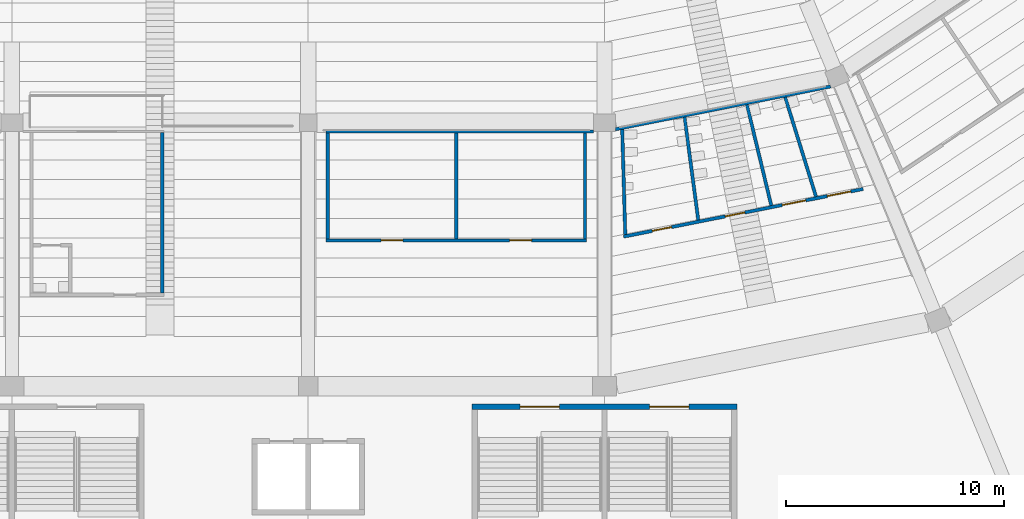
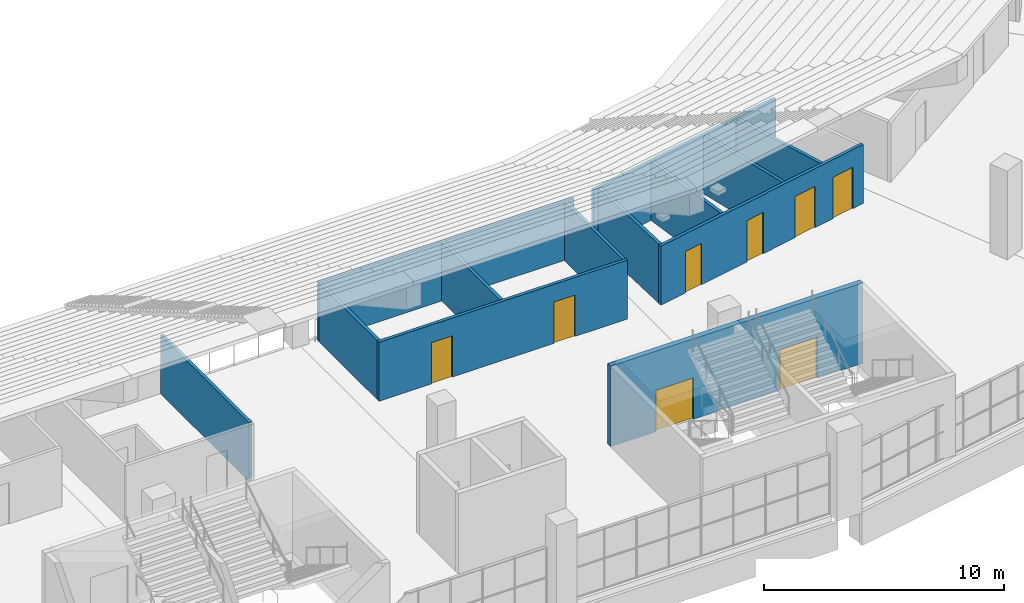
# One storey, part 88 of 249: 13 walls, 8 doors, 8 openings.
"""IFC4 building model written with IfcOpenShell, lengths in metres."""

import ifcopenshell
import ifcopenshell.guid

model = None  # the IFC model being written
_history = None  # IfcOwnerHistory: only IFC2X3 demands one
_inside = {}  # id of a spatial element -> (the spatial element, [elements in it])
_under = {}  # id of a project, library or spatial element -> (it, [spatial elements below it])
_declared = {}  # id of a project -> (the project, [libraries it declares])
_typed = {}  # id of a type object -> (the type object, [elements of that type])
_made_of = {}  # id of a material, layer set ... -> (it, [elements and type objects made of it])


def new_model(schema):
    """Start an empty IFC model of exactly this schema.

    Asked for "IFC4X3", IfcOpenShell would pick the latest addendum, in which some entities
    have other attributes; the version numbers below select the first issue.
    IFC2X3 requires an IfcOwnerHistory on every rooted entity: one is made here for all.
    """
    global model, _history
    if schema == "IFC4X3":
        model = ifcopenshell.file(schema_version=(4, 3, 0, 0))
    else:
        model = ifcopenshell.file(schema=schema)
    _inside.clear()
    _under.clear()
    _declared.clear()
    _typed.clear()
    _made_of.clear()
    _history = None
    if model.schema == "IFC2X3":
        org = make("IfcOrganization", Name="unknown")
        user = make(
            "IfcPersonAndOrganization",
            ThePerson=make("IfcPerson", FamilyName="unknown"),
            TheOrganization=org,
        )
        app = make(
            "IfcApplication",
            ApplicationDeveloper=org,
            Version="unknown",
            ApplicationFullName="unknown",
            ApplicationIdentifier="unknown",
        )
        _history = make(
            "IfcOwnerHistory",
            OwningUser=user,
            OwningApplication=app,
            ChangeAction="ADDED",
            CreationDate=0,
        )
    return model


def make(cls, **values):
    """One entity of the class cls with the attributes given. An attribute that is None is left unset."""
    return model.create_entity(
        cls, **{name: value for name, value in values.items() if value is not None}
    )


def rooted(cls, **values):
    """An entity with a GlobalId (a new one), such as an element, a storey or a relation."""
    return make(cls, GlobalId=ifcopenshell.guid.new(), OwnerHistory=_history, **values)


def si_unit(unit_type, name, prefix=None):
    """IfcSIUnit, for example si_unit("LENGTHUNIT", "METRE", prefix="MILLI")."""
    return make("IfcSIUnit", UnitType=unit_type, Prefix=prefix, Name=name)


def assignment(units):
    """IfcUnitAssignment: the units of a project."""
    return None if units is None else make("IfcUnitAssignment", Units=units)


def point(xyz):
    """IfcCartesianPoint."""
    return None if xyz is None else make("IfcCartesianPoint", Coordinates=xyz)


def direction(xyz):
    """IfcDirection."""
    return None if xyz is None else make("IfcDirection", DirectionRatios=xyz)


def frame(location, z_axis=None, x_axis=None):
    """IfcAxis2Placement3D, a coordinate frame: its origin and axes. An axis left out is left unset."""
    return make(
        "IfcAxis2Placement3D",
        Location=point(location),
        Axis=direction(z_axis),
        RefDirection=direction(x_axis),
    )


def frame_2d(location, x_axis=None):
    """IfcAxis2Placement2D, a coordinate frame in the plane: its origin and x axis."""
    return make(
        "IfcAxis2Placement2D", Location=point(location), RefDirection=direction(x_axis)
    )


def origin():
    """The frame at (0, 0, 0) with its axes left unset."""
    return frame((0.0, 0.0, 0.0))


def place(relative_to, where):
    """IfcLocalPlacement: puts the frame where relative to a parent placement (None: the world)."""
    return make(
        "IfcLocalPlacement", PlacementRelTo=relative_to, RelativePlacement=where
    )


def context(
    kind, dimensions, precision=None, world=None, true_north=None, identifier=None
):
    """IfcGeometricRepresentationContext, for example the 3D "Model" context."""
    return make(
        "IfcGeometricRepresentationContext",
        ContextIdentifier=identifier,
        ContextType=kind,
        CoordinateSpaceDimension=dimensions,
        Precision=precision,
        WorldCoordinateSystem=world,
        TrueNorth=true_north,
    )


def subcontext(parent, identifier, kind, view, scale=None):
    """IfcGeometricRepresentationSubContext, for example "Body" below "Model"."""
    return make(
        "IfcGeometricRepresentationSubContext",
        ContextIdentifier=identifier,
        ContextType=kind,
        ParentContext=parent,
        TargetScale=scale,
        TargetView=view,
    )


def project(units=None, contexts=None):
    """IfcProject with its units and contexts."""
    return rooted(
        "IfcProject",
        Name="project",
        RepresentationContexts=contexts,
        UnitsInContext=assignment(units),
    )


def spatial(cls, under=None, at=None, **own):
    """A site, building, storey or space (cls), placed at a placement, below another one or the project."""
    s = rooted(cls, ObjectPlacement=at, **own)
    if under is not None:
        _under.setdefault(under.id(), (under, []))[1].append(s)
    return s


def profile(cls, at=None, kind="AREA", **sizes):
    """A parametric profile (cls). Its sizes go by their IFC names, for example OverallWidth=200.0."""
    return make(cls, ProfileType=kind, Position=at, **sizes)


def rectangle(**sizes):
    """IfcRectangleProfileDef."""
    return profile("IfcRectangleProfileDef", **sizes)


def extrude(swept, where, along, depth):
    """IfcExtrudedAreaSolid: the profile swept, set in the frame where, extruded along a direction by depth."""
    return make(
        "IfcExtrudedAreaSolid",
        SweptArea=swept,
        Position=where,
        ExtrudedDirection=direction(along),
        Depth=depth,
    )


def shape(context_of_items, identifier, shape_type, items):
    """IfcShapeRepresentation: the items that make up one representation, for example the "Body"."""
    return make(
        "IfcShapeRepresentation",
        ContextOfItems=context_of_items,
        RepresentationIdentifier=identifier,
        RepresentationType=shape_type,
        Items=items,
    )


def material(Name=None, Category=None):
    """IfcMaterial."""
    return make("IfcMaterial", Name=Name, Category=Category)


def layer(
    of_material, thickness, ventilated=None, Name=None, Category=None, Priority=None
):
    """IfcMaterialLayer: one layer of a wall or slab, of a material (None: an air gap)."""
    return make(
        "IfcMaterialLayer",
        Material=of_material,
        LayerThickness=thickness,
        IsVentilated=ventilated,
        Name=Name,
        Category=Category,
        Priority=Priority,
    )


def layer_set(layers, Name=None):
    """IfcMaterialLayerSet."""
    return make("IfcMaterialLayerSet", MaterialLayers=layers, LayerSetName=Name)


def made_of(thing, what):
    """Note that an element or type object is made of a material, layer set ...; save() writes the relation."""
    if what is not None:
        _made_of.setdefault(what.id(), (what, []))[1].append(thing)
    return thing


def type_object(cls, material=None, **own):
    """A type object (cls), such as IfcWallType, which elements share."""
    return made_of(rooted(cls, **own), material)


def element(
    cls,
    number,
    at=None,
    inside=None,
    cuts=None,
    type_object=None,
    material=None,
    context=None,
    identifier="Body",
    shape_type=None,
    held_by="IfcProductDefinitionShape",
    body=None,
    shapes=None,
    **own,
):
    """One element of the class cls, such as IfcWall. Its Tag is "e" and its number.

    at: its placement. inside: the storey or other place that contains it. cuts: it is an
    opening in that element (IfcRelVoidsElement). A single representation is given by context,
    identifier, shape_type and body (its items); several are given by shapes. held_by: the class
    of the entity that holds the representations. save() writes the other relations.
    """
    e = rooted(cls, Tag="e%d" % number, ObjectPlacement=at, **own)
    if body is not None:
        shapes = [shape(context, identifier, shape_type, body)]
    if shapes is not None:
        e.Representation = make(held_by, Representations=shapes)
    if inside is not None:
        _inside.setdefault(inside.id(), (inside, []))[1].append(e)
    if cuts is not None:
        rooted(
            "IfcRelVoidsElement", RelatingBuildingElement=cuts, RelatedOpeningElement=e
        )
    if type_object is not None:
        _typed.setdefault(type_object.id(), (type_object, []))[1].append(e)
    return made_of(e, material)


def fill(opening, filler):
    """IfcRelFillsElement: the door or window that sits in an opening."""
    return rooted(
        "IfcRelFillsElement",
        RelatingOpeningElement=opening,
        RelatedBuildingElement=filler,
    )


def aggregate(whole, parts):
    """IfcRelAggregates: a whole, such as a stair, and the parts it consists of."""
    return rooted("IfcRelAggregates", RelatingObject=whole, RelatedObjects=parts)


def save(model, path):
    """Write the relations noted so far, then the file.

    IfcRelAggregates (storeys below a building ...), IfcRelContainedInSpatialStructure (elements
    in a storey), IfcRelDefinesByType, IfcRelAssociatesMaterial and IfcRelDeclares: one each for
    every whole, place, type object, material and project.
    """
    for whole, parts in _under.values():
        aggregate(whole, parts)
    for where, things in _inside.values():
        rooted(
            "IfcRelContainedInSpatialStructure",
            RelatedElements=things,
            RelatingStructure=where,
        )
    for kind, things in _typed.values():
        rooted("IfcRelDefinesByType", RelatedObjects=things, RelatingType=kind)
    for what, things in _made_of.values():
        rooted("IfcRelAssociatesMaterial", RelatedObjects=things, RelatingMaterial=what)
    for by, libraries in _declared.values():
        rooted("IfcRelDeclares", RelatingContext=by, RelatedDefinitions=libraries)
    model.write(path)


model = new_model("IFC4")

# Units and contexts
model_context = context("Model", 3, precision=1e-05, world=origin(), true_north=direction((0.0, 1.0)))
body_context = subcontext(model_context, "Body", "Model", "MODEL_VIEW")
ifc_project = project(units=[si_unit("LENGTHUNIT", "METRE"), si_unit("AREAUNIT", "SQUARE_METRE"), si_unit("VOLUMEUNIT", "CUBIC_METRE"), si_unit("PLANEANGLEUNIT", "RADIAN"), si_unit("MASSUNIT", "GRAM", prefix="KILO")], contexts=[model_context])

# Site, building, storey
site_placement = place(None, origin())
site = spatial("IfcSite", under=ifc_project, at=site_placement, CompositionType="ELEMENT")
building_placement = place(site_placement, origin())
building = spatial("IfcBuilding", under=site, at=building_placement, Name="Ogive Plaza Stadium", CompositionType="ELEMENT")
storey_placement = place(building_placement, frame((0.0, 0.0, 13.5)))
storey = spatial("IfcBuildingStorey", under=building, at=storey_placement, Name="L03", CompositionType="ELEMENT", Elevation=13.5)

# Wall
ifc_material_1 = material(Name="Masonry blockwork", Category="masonry")
ifc_layer_1 = layer(ifc_material_1, 0.14990234375)
ifc_layer_set_1 = layer_set([ifc_layer_1], Name="Blockwork wall 150")
wall_type_1 = type_object("IfcWallType", Name="Blockwork wall 150", PredefinedType="SOLIDWALL", material=ifc_layer_set_1)
wall_1_placement = place(storey_placement, frame((33.5, -80.800048828125, 0.0), z_axis=(0.0, 0.0, 1.0), x_axis=(-1.0, 0.0, 0.0)))
element("IfcWall", 1, at=wall_1_placement, inside=storey, type_object=wall_type_1, Name="Wall L03 B12", PredefinedType="SOLIDWALL", context=body_context, shape_type="SweptSolid", body=[
    extrude(rectangle(XDim=12.27490234375, YDim=0.14990234375, at=frame_2d((6.137451171875, 0.0))), origin(), (0.0, 0.0, 1.0), 3.0),
])

# Wall, openings, doors
wall_2_placement = place(storey_placement, frame((33.175048828125, -85.800048828125, 0.0), z_axis=(0.0, 0.0, 1.0), x_axis=(-1.0, 0.0, 0.0)))
wall_2 = element("IfcWall", 2, at=wall_2_placement, inside=storey, type_object=wall_type_1, Name="Wall L03 B12", PredefinedType="SOLIDWALL", context=body_context, shape_type="SweptSolid", body=[
    extrude(rectangle(XDim=11.949951171875, YDim=0.14990234375, at=frame_2d((5.97509765625, 0.0))), origin(), (0.0, 0.0, 1.0), 3.0),
])
opening_1_placement = place(wall_2_placement, frame((2.52490234375, 0.0, 0.0)))
opening_1 = element("IfcOpeningElement", 3, at=opening_1_placement, cuts=wall_2, Name="Opening D0799", PredefinedType="OPENING", context=body_context, shape_type="SweptSolid", body=[
    extrude(rectangle(XDim=1.0, YDim=2.10009765625, at=frame_2d((0.5, 1.050048828125))), frame((0.0, 0.074951171875, 0.0), z_axis=(0.0, -1.0, 0.0), x_axis=(1.0, 0.0, 0.0)), (0.0, 0.0, 1.0), 0.14990234375),
])
opening_2_placement = place(wall_2_placement, frame((8.425048828125, 0.0, 0.0)))
opening_2 = element("IfcOpeningElement", 4, at=opening_2_placement, cuts=wall_2, Name="Opening D0800", PredefinedType="OPENING", context=body_context, shape_type="SweptSolid", body=[
    extrude(rectangle(XDim=1.0, YDim=2.10009765625, at=frame_2d((0.5, 1.050048828125))), frame((0.0, 0.074951171875, 0.0), z_axis=(0.0, -1.0, 0.0), x_axis=(1.0, 0.0, 0.0)), (0.0, 0.0, 1.0), 0.14990234375),
])
ifc_material_2 = material(Name="Steel ASTM A572 Grade 50", Category="steel")
door_type_1 = type_object("IfcDoorType", Name="Fire door FD60 1000 x 2100", OperationType="SINGLE_SWING_LEFT", PredefinedType="DOOR", material=ifc_material_2)
door_1_placement = place(opening_1_placement, origin())
door_1 = element("IfcDoor", 5, at=door_1_placement, inside=storey, type_object=door_type_1, Name="Hospitality Pantry B12 door", OperationType="SINGLE_SWING_RIGHT", OverallHeight=2.10009765625, OverallWidth=1.0, PredefinedType="DOOR", context=body_context, shape_type="SweptSolid", body=[
    extrude(rectangle(XDim=1.0, YDim=2.10009765625, at=frame_2d((0.5, 1.050048828125))), frame((0.0, 0.02490234375, 0.0), z_axis=(0.0, -1.0, 0.0), x_axis=(1.0, 0.0, 0.0)), (0.0, 0.0, 1.0), 0.050048828125),
])
fill(opening_1, door_1)
door_2_placement = place(opening_2_placement, origin())
door_2 = element("IfcDoor", 6, at=door_2_placement, inside=storey, type_object=door_type_1, Name="Hospitality Store B12 door", OperationType="SINGLE_SWING_LEFT", OverallHeight=2.10009765625, OverallWidth=1.0, PredefinedType="DOOR", context=body_context, shape_type="SweptSolid", body=[
    extrude(rectangle(XDim=1.0, YDim=2.10009765625, at=frame_2d((0.5, 1.050048828125))), frame((0.0, 0.02490234375, 0.0), z_axis=(0.0, -1.0, 0.0), x_axis=(1.0, 0.0, 0.0)), (0.0, 0.0, 1.0), 0.050048828125),
])
fill(opening_2, door_2)

# Walls
for number, where, z_axis, x_axis, name in (
    (7, (33.10009765625, -80.875, 0.0), (0.0, 0.0, 1.0), (0.0, -1.0, 0.0), "Wall L03 B12"),
    (8, (27.199951171875, -80.875, 0.0), (0.0, 0.0, 1.0), (0.0, -1.0, 0.0), "Wall L03 B12"),
    (9, (21.300048828125, -80.875, 0.0), (0.0, 0.0, 1.0), (0.0, -1.0, 0.0), "Wall L03 B12"),
):
    element("IfcWall", number, at=place(storey_placement, frame(where, z_axis=z_axis, x_axis=x_axis)), inside=storey, type_object=wall_type_1, Name=name, PredefinedType="SOLIDWALL", context=body_context, shape_type="SweptSolid", body=[
        extrude(rectangle(XDim=4.85009765625, YDim=0.14990234375, at=frame_2d((2.425048828125, 0.0))), origin(), (0.0, 0.0, 1.0), 3.0),
    ])
wall_3_placement = place(storey_placement, frame((13.699951171875, -80.85009765625, 0.0), z_axis=(0.0, 0.0, 1.0), x_axis=(0.0, -1.0, 0.0)))
element("IfcWall", 10, at=wall_3_placement, inside=storey, type_object=wall_type_1, Name="Wall L03 B13", PredefinedType="SOLIDWALL", context=body_context, shape_type="SweptSolid", body=[
    extrude(rectangle(XDim=7.375, YDim=0.14990234375, at=frame_2d((3.6875, 0.0))), origin(), (0.0, 0.0, 1.0), 3.0),
])

# Wall, openings, doors
ifc_material_3 = material(Name="Concrete C40/50", Category="concrete")
ifc_layer_2 = layer(ifc_material_3, 0.25)
ifc_layer_set_2 = layer_set([ifc_layer_2], Name="Concrete C40/50")
wall_type_2 = type_object("IfcWallType", Name="Core wall 250", PredefinedType="SHEAR", material=ifc_layer_set_2)
wall_4_placement = place(storey_placement, frame((27.925048828125, -93.425048828125, 0.0), z_axis=(0.0, 0.0, 1.0), x_axis=(1.0, 0.0, 0.0)))
wall_4 = element("IfcWall", 11, at=wall_4_placement, inside=storey, type_object=wall_type_2, Name="Stair core R12 inner wall", PredefinedType="SHEAR", context=body_context, shape_type="SweptSolid", body=[
    extrude(rectangle(XDim=12.14990234375, YDim=0.25, at=frame_2d((6.074951171875, 0.0))), origin(), (0.0, 0.0, 1.0), 4.090087890625),
])
opening_3_placement = place(wall_4_placement, frame((2.199951171875, 0.0, 0.0)))
opening_3 = element("IfcOpeningElement", 12, at=opening_3_placement, cuts=wall_4, Name="Opening D0113", PredefinedType="OPENING", context=body_context, shape_type="SweptSolid", body=[
    extrude(rectangle(XDim=1.800048828125, YDim=2.10009765625, at=frame_2d((0.89990234375, 1.050048828125))), frame((0.0, 0.125, 0.0), z_axis=(0.0, -1.0, 0.0), x_axis=(1.0, 0.0, 0.0)), (0.0, 0.0, 1.0), 0.25),
])
opening_4_placement = place(wall_4_placement, frame((8.14990234375, 0.0, 0.0)))
opening_4 = element("IfcOpeningElement", 13, at=opening_4_placement, cuts=wall_4, Name="Opening D0114", PredefinedType="OPENING", context=body_context, shape_type="SweptSolid", body=[
    extrude(rectangle(XDim=1.800048828125, YDim=2.10009765625, at=frame_2d((0.89990234375, 1.050048828125))), frame((0.0, 0.125, 0.0), z_axis=(0.0, -1.0, 0.0), x_axis=(1.0, 0.0, 0.0)), (0.0, 0.0, 1.0), 0.25),
])
ifc_material_4 = material(Name="Steel ASTM A572 Grade 50", Category="steel")
door_type_2 = type_object("IfcDoorType", Name="Fire door FD90 pair 1800 x 2100", OperationType="DOUBLE_DOOR_SINGLE_SWING", PredefinedType="DOOR", material=ifc_material_4)
door_3_placement = place(opening_3_placement, origin())
door_3 = element("IfcDoor", 14, at=door_3_placement, inside=storey, type_object=door_type_2, Name="Exit stair R12A door L03", OperationType="DOUBLE_DOOR_SINGLE_SWING", OverallHeight=2.10009765625, OverallWidth=1.800048828125, PredefinedType="DOOR", context=body_context, shape_type="SweptSolid", body=[
    extrude(rectangle(XDim=1.800048828125, YDim=2.10009765625, at=frame_2d((0.89990234375, 1.050048828125))), frame((0.0, 0.02490234375, 0.0), z_axis=(0.0, -1.0, 0.0), x_axis=(1.0, 0.0, 0.0)), (0.0, 0.0, 1.0), 0.050048828125),
])
fill(opening_3, door_3)
door_4_placement = place(opening_4_placement, origin())
door_4 = element("IfcDoor", 15, at=door_4_placement, inside=storey, type_object=door_type_2, Name="Exit stair R12B door L03", OperationType="DOUBLE_DOOR_SINGLE_SWING", OverallHeight=2.10009765625, OverallWidth=1.800048828125, PredefinedType="DOOR", context=body_context, shape_type="SweptSolid", body=[
    extrude(rectangle(XDim=1.800048828125, YDim=2.10009765625, at=frame_2d((0.89990234375, 1.050048828125))), frame((0.0, 0.02490234375, 0.0), z_axis=(0.0, -1.0, 0.0), x_axis=(1.0, 0.0, 0.0)), (0.0, 0.0, 1.0), 0.050048828125),
])
fill(opening_4, door_4)

# Wall
ifc_material_5 = material(Name="Gypsum board partition", Category="gypsum")
ifc_layer_3 = layer(ifc_material_5, 0.14990234375)
ifc_layer_set_3 = layer_set([ifc_layer_3], Name="Partition 150")
wall_type_3 = type_object("IfcWallType", Name="Partition 150", PredefinedType="PARTITIONING", material=ifc_layer_set_3)
wall_5_placement = place(storey_placement, frame((34.5, -80.700439453125, 0.0), z_axis=(0.0, 0.0, 1.0), x_axis=(0.980787996346, 0.195076667554, 0.0)))
element("IfcWall", 16, at=wall_5_placement, inside=storey, type_object=wall_type_3, Name="Wall L03 B11", PredefinedType="PARTITIONING", context=body_context, shape_type="SweptSolid", body=[
    extrude(rectangle(XDim=10.073486328125, YDim=0.14990234375, at=frame_2d((5.03662109375, 0.0))), origin(), (0.0, 0.0, 1.0), 3.0),
])

# Wall, openings, doors
wall_6_placement = place(storey_placement, frame((34.874755859375, -85.6259765625, 0.0), z_axis=(0.0, 0.0, 1.0), x_axis=(0.980786208969, 0.195085653744, 0.0)))
wall_6 = element("IfcWall", 17, at=wall_6_placement, inside=storey, type_object=wall_type_3, Name="Wall L03 B11", PredefinedType="PARTITIONING", context=body_context, shape_type="SweptSolid", body=[
    extrude(rectangle(XDim=11.209228515625, YDim=0.14990234375, at=frame_2d((5.6044921875, 0.0))), origin(), (0.0, 0.0, 1.0), 3.0),
])
opening_5_placement = place(wall_6_placement, frame((1.34326171875, 0.0, 0.0)))
opening_5 = element("IfcOpeningElement", 18, at=opening_5_placement, cuts=wall_6, Name="Opening D0795", PredefinedType="OPENING", context=body_context, shape_type="SweptSolid", body=[
    extrude(rectangle(XDim=0.89990234375, YDim=2.10009765625, at=frame_2d((0.449951171875, 1.050048828125))), frame((0.0, 0.074951171875, 0.0), z_axis=(0.0, -1.0, 0.0), x_axis=(1.0, 0.0, 0.0)), (0.0, 0.0, 1.0), 0.14990234375),
])
opening_6_placement = place(wall_6_placement, frame((4.767822265625, 0.0, 0.0)))
opening_6 = element("IfcOpeningElement", 19, at=opening_6_placement, cuts=wall_6, Name="Opening D0796", PredefinedType="OPENING", context=body_context, shape_type="SweptSolid", body=[
    extrude(rectangle(XDim=0.89990234375, YDim=2.10009765625, at=frame_2d((0.449951171875, 1.050048828125))), frame((0.0, 0.074951171875, 0.0), z_axis=(0.0, -1.0, 0.0), x_axis=(1.0, 0.0, 0.0)), (0.0, 0.0, 1.0), 0.14990234375),
])
opening_7_placement = place(wall_6_placement, frame((7.4296875, 0.0, 0.0)))
opening_7 = element("IfcOpeningElement", 20, at=opening_7_placement, cuts=wall_6, Name="Opening D0797", PredefinedType="OPENING", context=body_context, shape_type="SweptSolid", body=[
    extrude(rectangle(XDim=1.10009765625, YDim=2.10009765625, at=frame_2d((0.550048828125, 1.050048828125))), frame((0.0, 0.074951171875, 0.0), z_axis=(0.0, -1.0, 0.0), x_axis=(1.0, 0.0, 0.0)), (0.0, 0.0, 1.0), 0.14990234375),
])
opening_8_placement = place(wall_6_placement, frame((9.528564453125, 0.0, 0.0)))
opening_8 = element("IfcOpeningElement", 21, at=opening_8_placement, cuts=wall_6, Name="Opening D0798", PredefinedType="OPENING", context=body_context, shape_type="SweptSolid", body=[
    extrude(rectangle(XDim=1.10009765625, YDim=2.10009765625, at=frame_2d((0.550048828125, 1.050048828125))), frame((0.0, 0.074951171875, 0.0), z_axis=(0.0, -1.0, 0.0), x_axis=(1.0, 0.0, 0.0)), (0.0, 0.0, 1.0), 0.14990234375),
])
ifc_material_6 = material(Name="Steel ASTM A572 Grade 50", Category="steel")
door_type_3 = type_object("IfcDoorType", Name="Accessible door 1100 x 2100", OperationType="SINGLE_SWING_LEFT", PredefinedType="DOOR", material=ifc_material_6)
door_5_placement = place(opening_7_placement, origin())
door_5 = element("IfcDoor", 22, at=door_5_placement, inside=storey, type_object=door_type_3, Name="Accessible WC B11 door", OperationType="SINGLE_SWING_LEFT", OverallHeight=2.10009765625, OverallWidth=1.10009765625, PredefinedType="DOOR", context=body_context, shape_type="SweptSolid", body=[
    extrude(rectangle(XDim=1.10009765625, YDim=2.10009765625, at=frame_2d((0.550048828125, 1.050048828125))), frame((0.0, 0.02490234375, 0.0), z_axis=(0.0, -1.0, 0.0), x_axis=(1.0, 0.0, 0.0)), (0.0, 0.0, 1.0), 0.050048828125),
])
fill(opening_7, door_5)
door_6_placement = place(opening_8_placement, origin())
door_6 = element("IfcDoor", 23, at=door_6_placement, inside=storey, type_object=door_type_3, Name="Family WC B11 door", OperationType="SINGLE_SWING_LEFT", OverallHeight=2.10009765625, OverallWidth=1.10009765625, PredefinedType="DOOR", context=body_context, shape_type="SweptSolid", body=[
    extrude(rectangle(XDim=1.10009765625, YDim=2.10009765625, at=frame_2d((0.550048828125, 1.050048828125))), frame((0.0, 0.02490234375, 0.0), z_axis=(0.0, -1.0, 0.0), x_axis=(1.0, 0.0, 0.0)), (0.0, 0.0, 1.0), 0.050048828125),
])
fill(opening_8, door_6)
ifc_material_7 = material(Name="Steel ASTM A572 Grade 50", Category="steel")
door_type_4 = type_object("IfcDoorType", Name="Door 900 x 2100", OperationType="SINGLE_SWING_LEFT", PredefinedType="DOOR", material=ifc_material_7)
door_7_placement = place(opening_5_placement, origin())
door_7 = element("IfcDoor", 24, at=door_7_placement, inside=storey, type_object=door_type_4, Name="Men's Toilet B11 door", OperationType="SINGLE_SWING_RIGHT", OverallHeight=2.10009765625, OverallWidth=0.89990234375, PredefinedType="DOOR", context=body_context, shape_type="SweptSolid", body=[
    extrude(rectangle(XDim=0.89990234375, YDim=2.10009765625, at=frame_2d((0.449951171875, 1.050048828125))), frame((0.0, 0.02490234375, 0.0), z_axis=(0.0, -1.0, 0.0), x_axis=(1.0, 0.0, 0.0)), (0.0, 0.0, 1.0), 0.050048828125),
])
fill(opening_5, door_7)
door_8_placement = place(opening_6_placement, origin())
door_8 = element("IfcDoor", 25, at=door_8_placement, inside=storey, type_object=door_type_4, Name="Women's Toilet B11 door", OperationType="SINGLE_SWING_RIGHT", OverallHeight=2.10009765625, OverallWidth=0.89990234375, PredefinedType="DOOR", context=body_context, shape_type="SweptSolid", body=[
    extrude(rectangle(XDim=0.89990234375, YDim=2.10009765625, at=frame_2d((0.449951171875, 1.050048828125))), frame((0.0, 0.02490234375, 0.0), z_axis=(0.0, -1.0, 0.0), x_axis=(1.0, 0.0, 0.0)), (0.0, 0.0, 1.0), 0.050048828125),
])
fill(opening_6, door_8)

# Walls
wall_7_placement = place(storey_placement, frame((34.813232421875, -80.713134765625, 0.0), z_axis=(0.0, 0.0, 1.0), x_axis=(0.028793807365, -0.999585372371, 0.0)))
element("IfcWall", 26, at=wall_7_placement, inside=storey, type_object=wall_type_3, Name="Wall L03 B11", PredefinedType="PARTITIONING", context=body_context, shape_type="SweptSolid", body=[
    extrude(rectangle(XDim=4.824462890625, YDim=0.14990234375, at=frame_2d((2.412109375, 0.0))), origin(), (0.0, 0.0, 1.0), 3.0),
])
wall_8_placement = place(storey_placement, frame((37.67529296875, -80.14404296875, 0.0), z_axis=(0.0, 0.0, 1.0), x_axis=(0.131791297018, -0.991277485889, 0.0)))
element("IfcWall", 27, at=wall_8_placement, inside=storey, type_object=wall_type_3, Name="Wall L03 B11", PredefinedType="PARTITIONING", context=body_context, shape_type="SweptSolid", body=[
    extrude(rectangle(XDim=4.766357421875, YDim=0.14990234375, at=frame_2d((2.38330078125, 0.0))), origin(), (0.0, 0.0, 1.0), 3.0),
])
wall_9_placement = place(storey_placement, frame((40.537109375, -79.57470703125, 0.0), z_axis=(0.0, 0.0, 1.0), x_axis=(0.234720740692, -0.972062844619, 0.0)))
element("IfcWall", 28, at=wall_9_placement, inside=storey, type_object=wall_type_3, Name="Wall L03 B11", PredefinedType="PARTITIONING", context=body_context, shape_type="SweptSolid", body=[
    extrude(rectangle(XDim=4.7607421875, YDim=0.14990234375, at=frame_2d((2.38037109375, 0.0))), origin(), (0.0, 0.0, 1.0), 3.0),
])
wall_10_placement = place(storey_placement, frame((42.291259765625, -79.225830078125, 0.0), z_axis=(0.0, 0.0, 1.0), x_axis=(0.296312515745, -0.955091039123, 0.0)))
element("IfcWall", 29, at=wall_10_placement, inside=storey, type_object=wall_type_3, Name="Wall L03 B11", PredefinedType="PARTITIONING", context=body_context, shape_type="SweptSolid", body=[
    extrude(rectangle(XDim=4.782958984375, YDim=0.14990234375, at=frame_2d((2.3916015625, 0.0))), origin(), (0.0, 0.0, 1.0), 3.0),
])

save(model, "model.ifc")
